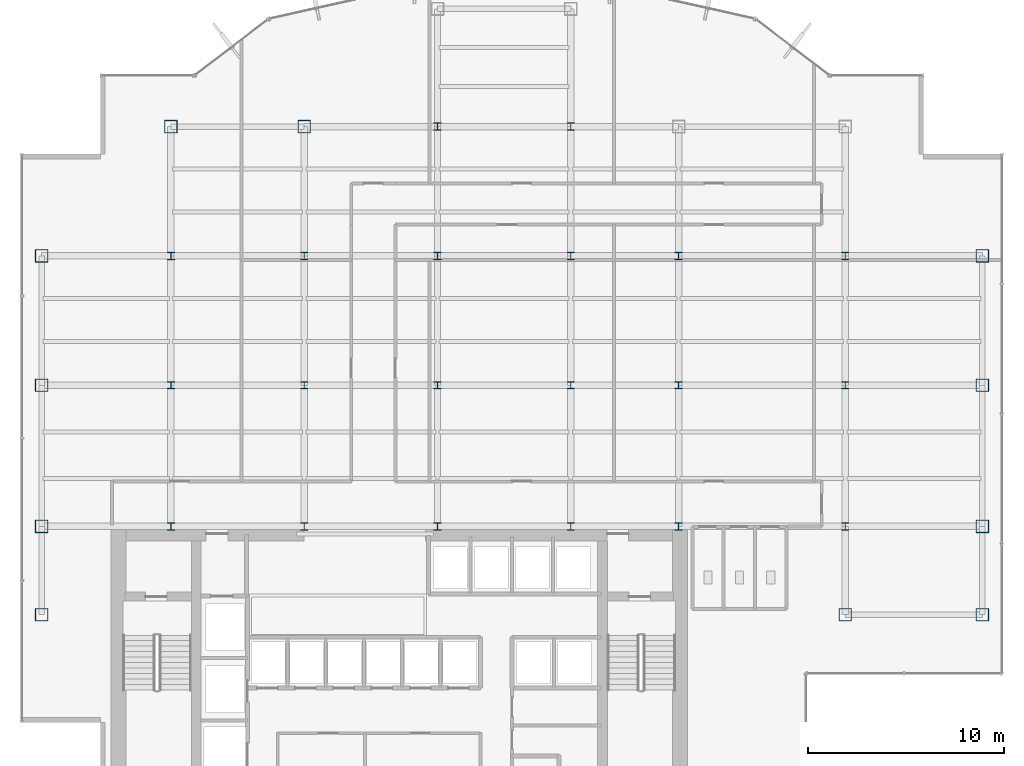
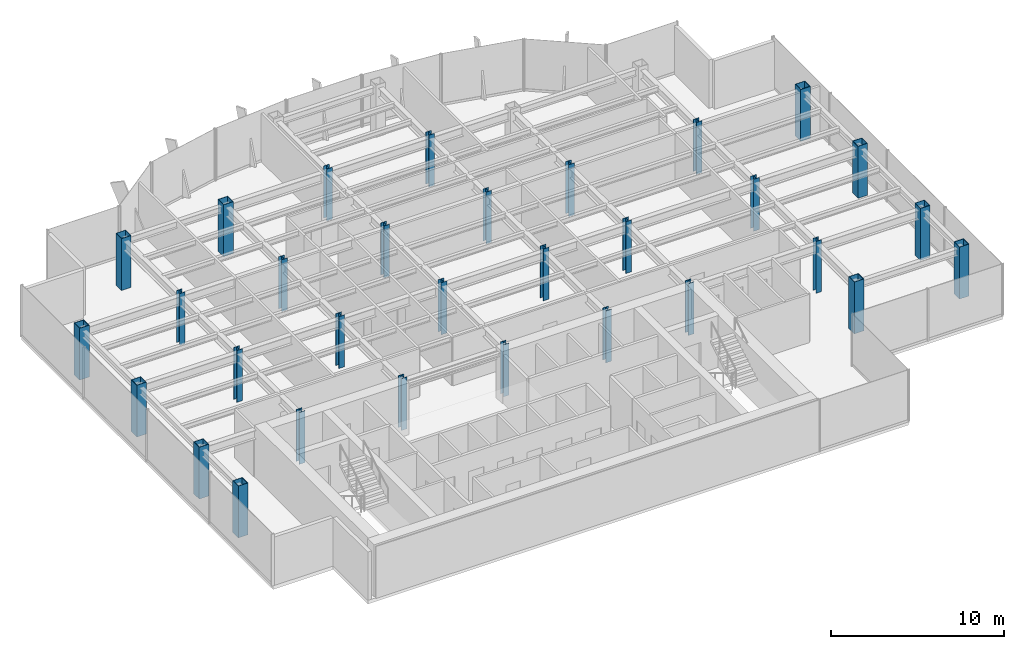
# One storey, part 1 of 25: 31 columns.
"""IFC4 building model written with IfcOpenShell, lengths in metres."""

from ifc_helpers import new_model, si_unit, derived_unit, direction, frame, origin, origin_2d, place, context, subcontext, project, spatial, hollow_rectangle, i_section, extrude, source, transform, mapped, material, material_profile, profile_set, type_object, element, save


model = new_model("IFC4")

# Units and contexts
model_context = context("Model", 3, precision=1e-05, world=origin(), true_north=direction((0.0, 1.0)))
body_context = subcontext(model_context, "Body", "Model", "MODEL_VIEW")
ifc_project = project(units=[si_unit("LENGTHUNIT", "METRE"), si_unit("AREAUNIT", "SQUARE_METRE"), si_unit("VOLUMEUNIT", "CUBIC_METRE"), si_unit("PLANEANGLEUNIT", "RADIAN"), si_unit("MASSUNIT", "GRAM", prefix="KILO"), derived_unit("THERMALTRANSMITTANCEUNIT", [(si_unit("POWERUNIT", "WATT"), 1), (si_unit("LENGTHUNIT", "METRE"), -2), (si_unit("THERMODYNAMICTEMPERATUREUNIT", "KELVIN"), -1)])], contexts=[model_context])

# Site, building, storey
site_placement = place(None, origin())
site = spatial("IfcSite", under=ifc_project, at=site_placement, CompositionType="ELEMENT")
building_placement = place(site_placement, origin())
building = spatial("IfcBuilding", under=site, at=building_placement, Name="Skarnbrae Concourse Arena and Tower", CompositionType="ELEMENT")
storey_placement = place(building_placement, frame((0.0, 0.0, 173.449951171875)))
storey = spatial("IfcBuildingStorey", under=building, at=storey_placement, Name="L44", CompositionType="ELEMENT", Elevation=173.449951171875)

# Columns
ifc_material = material(Name="Steel CSA G40.21 350W", Category="steel")
ifc_material_profile_1 = material_profile(ifc_material, hollow_rectangle(XDim=0.64990234375, YDim=0.64990234375, WallThickness=0.031982421875, at=origin_2d()), Name="BOX650X650X32")
ifc_profile_set_1 = profile_set([ifc_material_profile_1], Name="Steel CSA G40.21 350W")
column_type_1 = type_object("IfcColumnType", Name="COL-TUBE-BOX650", PredefinedType="COLUMN", material=ifc_profile_set_1)
shared_shape_1 = source(origin(), body_context, "Body", "SweptSolid", [
    extrude(hollow_rectangle(XDim=0.64990234375, YDim=0.64990234375, WallThickness=0.031982421875, at=origin_2d()), origin(), (0.0, 0.0, 1.0), 3.650146484375),
])
for number, where, z_axis, x_axis, name in (
    (1, (1.0, 9.5, 0.0), (0.0, 0.0, 1.0), (1.0, 0.0, 0.0), "L44 Tower column PC_01_01"),
    (2, (1.0, 14.0, 0.0), (0.0, 0.0, 1.0), (1.0, 0.0, 0.0), "L44 Tower column PC_01_02"),
    (3, (1.0, 21.199951171875, 0.0), (0.0, 0.0, 1.0), (1.0, 0.0, 0.0), "L44 Tower column PC_01_03"),
    (4, (1.0, 27.800048828125, 0.0), (0.0, 0.0, 1.0), (1.0, 0.0, 0.0), "L44 Tower column PC_01_04"),
    (5, (7.60009765625, 34.39990234375, 0.0), (0.0, 0.0, 1.0), (1.0, 0.0, 0.0), "L44 Tower column PC_02_05"),
    (6, (14.39990234375, 34.39990234375, 0.0), (0.0, 0.0, 1.0), (1.0, 0.0, 0.0), "L44 Tower column PC_03_05"),
    (7, (42.0, 9.5, 0.0), (0.0, 0.0, 1.0), (1.0, 0.0, 0.0), "L44 Tower column PC_07_01"),
    (8, (49.0, 9.5, 0.0), (0.0, 0.0, 1.0), (1.0, 0.0, 0.0), "L44 Tower column PC_08_01"),
    (9, (49.0, 14.0, 0.0), (0.0, 0.0, 1.0), (1.0, 0.0, 0.0), "L44 Tower column PC_08_02"),
    (10, (49.0, 21.199951171875, 0.0), (0.0, 0.0, 1.0), (1.0, 0.0, 0.0), "L44 Tower column PC_08_03"),
    (11, (49.0, 27.800048828125, 0.0), (0.0, 0.0, 1.0), (1.0, 0.0, 0.0), "L44 Tower column PC_08_04"),
):
    element("IfcColumn", number, at=place(storey_placement, frame(where, z_axis=z_axis, x_axis=x_axis)), inside=storey, type_object=column_type_1, Name=name, PredefinedType="COLUMN", context=body_context, shape_type="MappedRepresentation", body=[
        mapped(shared_shape_1, transform((0.0, 0.0, 0.0))),
    ])
ifc_material_profile_2 = material_profile(ifc_material, i_section(OverallWidth=0.3740234375, OverallDepth=0.3720703125, WebThickness=0.016357421875, FlangeThickness=0.026123046875, at=origin_2d()), Name="W360X196")
ifc_profile_set_2 = profile_set([ifc_material_profile_2], Name="Steel CSA G40.21 350W")
column_type_2 = type_object("IfcColumnType", Name="COL-INT-W360X196", PredefinedType="COLUMN", material=ifc_profile_set_2)
shared_shape_2 = source(origin(), body_context, "Body", "SweptSolid", [
    extrude(i_section(OverallWidth=0.3740234375, OverallDepth=0.3720703125, WebThickness=0.016357421875, FlangeThickness=0.026123046875, at=origin_2d()), origin(), (0.0, 0.0, 1.0), 3.650146484375),
])
for number, where, z_axis, x_axis, name in (
    (12, (7.60009765625, 14.0, 0.0), (0.0, 0.0, 1.0), (1.0, 0.0, 0.0), "L44 Tower column IC_02_02"),
    (13, (7.60009765625, 21.199951171875, 0.0), (0.0, 0.0, 1.0), (1.0, 0.0, 0.0), "L44 Tower column IC_02_03"),
    (14, (7.60009765625, 27.800048828125, 0.0), (0.0, 0.0, 1.0), (1.0, 0.0, 0.0), "L44 Tower column IC_02_04"),
    (15, (14.39990234375, 14.0, 0.0), (0.0, 0.0, 1.0), (1.0, 0.0, 0.0), "L44 Tower column IC_03_02"),
    (16, (14.39990234375, 21.199951171875, 0.0), (0.0, 0.0, 1.0), (1.0, 0.0, 0.0), "L44 Tower column IC_03_03"),
    (17, (14.39990234375, 27.800048828125, 0.0), (0.0, 0.0, 1.0), (1.0, 0.0, 0.0), "L44 Tower column IC_03_04"),
    (18, (21.199951171875, 14.0, 0.0), (0.0, 0.0, 1.0), (1.0, 0.0, 0.0), "L44 Tower column IC_04_02"),
    (19, (21.199951171875, 21.199951171875, 0.0), (0.0, 0.0, 1.0), (1.0, 0.0, 0.0), "L44 Tower column IC_04_03"),
    (20, (21.199951171875, 27.800048828125, 0.0), (0.0, 0.0, 1.0), (1.0, 0.0, 0.0), "L44 Tower column IC_04_04"),
    (21, (21.199951171875, 34.39990234375, 0.0), (0.0, 0.0, 1.0), (1.0, 0.0, 0.0), "L44 Tower column IC_04_05"),
    (22, (28.0, 14.0, 0.0), (0.0, 0.0, 1.0), (1.0, 0.0, 0.0), "L44 Tower column IC_05_02"),
    (23, (28.0, 21.199951171875, 0.0), (0.0, 0.0, 1.0), (1.0, 0.0, 0.0), "L44 Tower column IC_05_03"),
    (24, (28.0, 27.800048828125, 0.0), (0.0, 0.0, 1.0), (1.0, 0.0, 0.0), "L44 Tower column IC_05_04"),
    (25, (28.0, 34.39990234375, 0.0), (0.0, 0.0, 1.0), (1.0, 0.0, 0.0), "L44 Tower column IC_05_05"),
    (26, (33.5, 14.0, 0.0), (0.0, 0.0, 1.0), (1.0, 0.0, 0.0), "L44 Tower column IC_06_02"),
    (27, (33.5, 21.199951171875, 0.0), (0.0, 0.0, 1.0), (1.0, 0.0, 0.0), "L44 Tower column IC_06_03"),
    (28, (33.5, 27.800048828125, 0.0), (0.0, 0.0, 1.0), (1.0, 0.0, 0.0), "L44 Tower column IC_06_04"),
    (29, (42.0, 14.0, 0.0), (0.0, 0.0, 1.0), (1.0, 0.0, 0.0), "L44 Tower column IC_07_02"),
    (30, (42.0, 21.199951171875, 0.0), (0.0, 0.0, 1.0), (1.0, 0.0, 0.0), "L44 Tower column IC_07_03"),
    (31, (42.0, 27.800048828125, 0.0), (0.0, 0.0, 1.0), (1.0, 0.0, 0.0), "L44 Tower column IC_07_04"),
):
    element("IfcColumn", number, at=place(storey_placement, frame(where, z_axis=z_axis, x_axis=x_axis)), inside=storey, type_object=column_type_2, Name=name, PredefinedType="COLUMN", context=body_context, shape_type="MappedRepresentation", body=[
        mapped(shared_shape_2, transform((0.0, 0.0, 0.0))),
    ])

save(model, "model.ifc")
